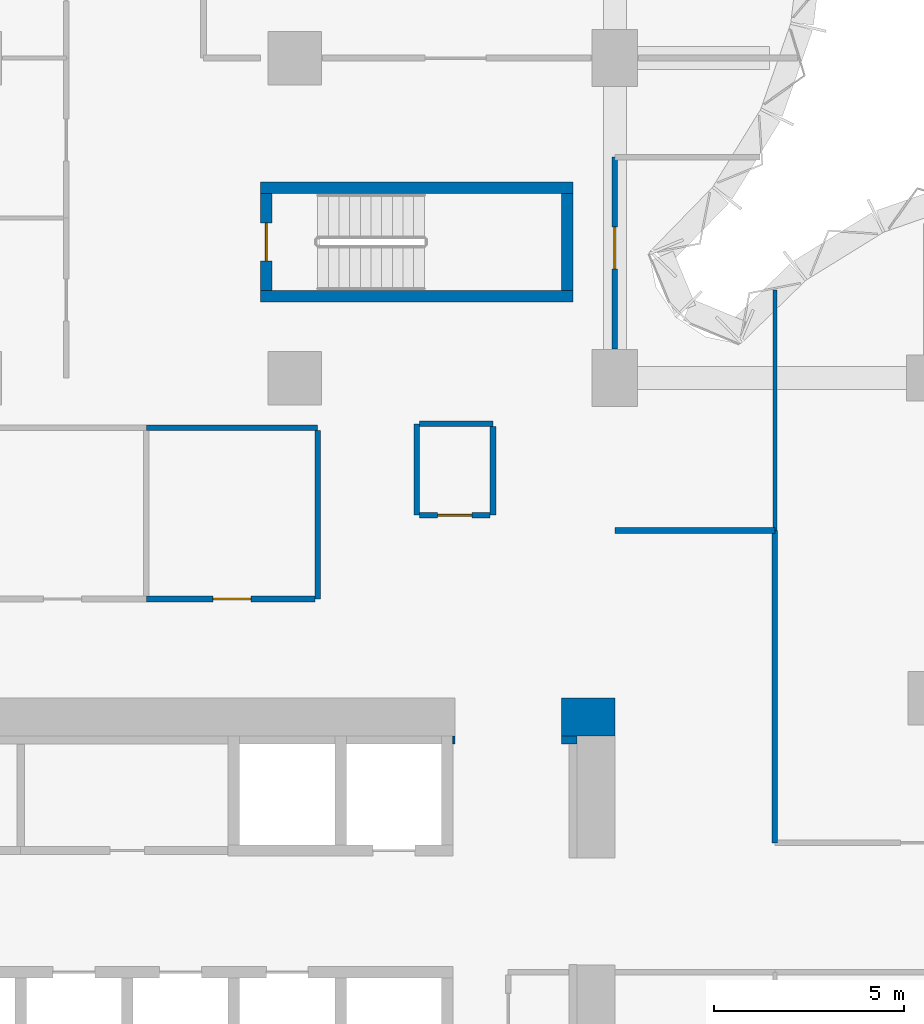
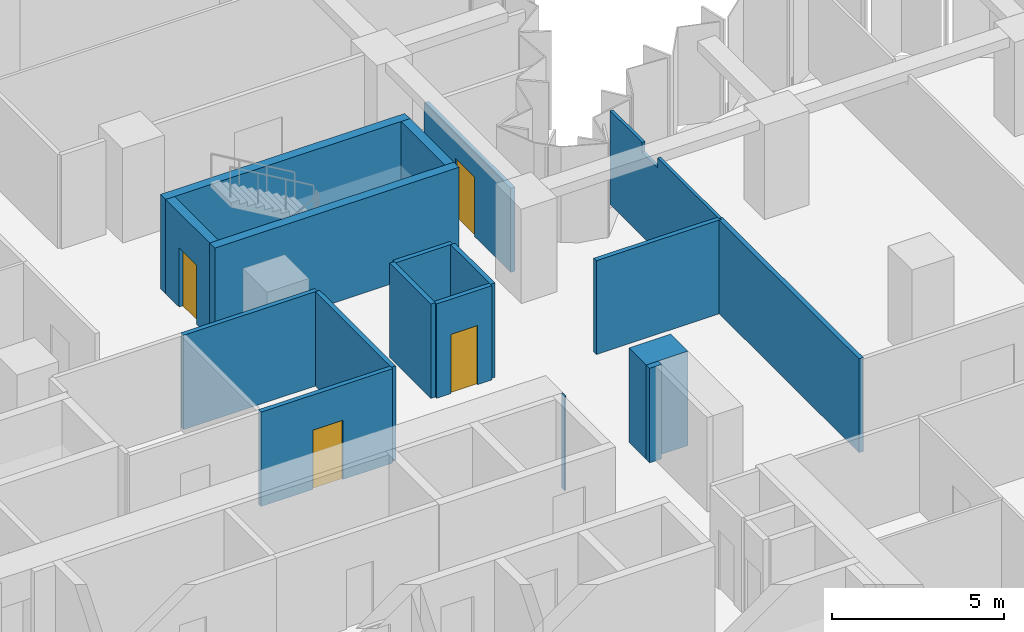
# One storey, part 9 of 15: 18 walls, 4 doors, 4 openings.
"""IFC4 building model written with IfcOpenShell, lengths in metres."""

from ifc_helpers import new_model, si_unit, direction, frame, frame_2d, origin, place, context, subcontext, project, spatial, polyline, rectangle, outline, extrude, material, layer, layer_set, type_object, element, fill, save


model = new_model("IFC4")

# Units and contexts
model_context = context("Model", 3, precision=1e-05, world=origin(), true_north=direction((0.0, 1.0)))
body_context = subcontext(model_context, "Body", "Model", "MODEL_VIEW")
ifc_project = project(units=[si_unit("LENGTHUNIT", "METRE"), si_unit("AREAUNIT", "SQUARE_METRE"), si_unit("VOLUMEUNIT", "CUBIC_METRE"), si_unit("PLANEANGLEUNIT", "RADIAN"), si_unit("MASSUNIT", "GRAM", prefix="KILO")], contexts=[model_context])

# Site, building, storey
site_placement = place(None, origin())
site = spatial("IfcSite", under=ifc_project, at=site_placement, CompositionType="ELEMENT")
building_placement = place(site_placement, origin())
building = spatial("IfcBuilding", under=site, at=building_placement, Name="Brevane Broadcast Tower", CompositionType="ELEMENT")
storey_placement = place(building_placement, frame((0.0, 0.0, 47.300048828125)))
storey = spatial("IfcBuildingStorey", under=building, at=storey_placement, Name="L09", CompositionType="ELEMENT", Elevation=47.300048828125)

# Walls
ifc_material_1 = material(Name="Concrete C32/40", Category="concrete")
ifc_layer_1 = layer(ifc_material_1, 0.199951171875)
ifc_layer_set_1 = layer_set([ifc_layer_1], Name="Core chase wall 200 mm")
wall_type_1 = type_object("IfcWallType", Name="Core chase wall 200 mm", PredefinedType="PARTITIONING", material=ifc_layer_set_1)
wall_1_placement = place(storey_placement, frame((23.800048828125, 15.699951171875, 0.0), z_axis=(0.0, 0.0, 1.0), x_axis=(1.0, 0.0, 0.0)))
element("IfcWall", 1, at=wall_1_placement, inside=storey, type_object=wall_type_1, Name="L09 chase wall LN2", PredefinedType="PARTITIONING", context=body_context, shape_type="SweptSolid", body=[
    extrude(rectangle(XDim=0.39990234375, YDim=0.199951171875, at=frame_2d((0.199951171875, 0.0))), origin(), (0.0, 0.0, 1.0), 3.349853515625),
])
wall_2_placement = place(storey_placement, frame((20.949951171875, 15.699951171875, 0.0), z_axis=(0.0, 0.0, 1.0), x_axis=(1.0, 0.0, 0.0)))
element("IfcWall", 2, at=wall_2_placement, inside=storey, type_object=wall_type_1, Name="L09 chase wall LN1-2-2-2-2", PredefinedType="PARTITIONING", context=body_context, shape_type="SweptSolid", body=[
    extrude(rectangle(XDim=0.050048828125, YDim=0.199951171875, at=frame_2d((0.02490234375, 0.0))), origin(), (0.0, 0.0, 1.0), 3.349853515625),
])
ifc_material_2 = material(Name="Gypsum board on steel studs", Category="steel")
ifc_layer_2 = layer(ifc_material_2, 0.14990234375)
ifc_layer_set_2 = layer_set([ifc_layer_2], Name="Core fire partition 150 mm")
wall_type_2 = type_object("IfcWallType", Name="Core fire partition 150 mm", PredefinedType="PARTITIONING", material=ifc_layer_set_2)
wall_3_placement = place(storey_placement, frame((12.89990234375, 23.89990234375, 0.0), z_axis=(0.0, 0.0, 1.0), x_axis=(1.0, 0.0, 0.0)))
element("IfcWall", 3, at=wall_3_placement, inside=storey, type_object=wall_type_2, Name="L09 partition wall P19", PredefinedType="PARTITIONING", context=body_context, shape_type="SweptSolid", body=[
    extrude(rectangle(XDim=4.5, YDim=0.14990234375, at=frame_2d((2.25, 0.0))), origin(), (0.0, 0.0, 1.0), 3.349853515625),
])
wall_4_placement = place(storey_placement, frame((17.39990234375, 23.824951171875, 0.0), z_axis=(0.0, 0.0, 1.0), x_axis=(0.0, -1.0, 0.0)))
element("IfcWall", 4, at=wall_4_placement, inside=storey, type_object=wall_type_2, Name="L09 partition wall P20", PredefinedType="PARTITIONING", context=body_context, shape_type="SweptSolid", body=[
    extrude(rectangle(XDim=4.425048828125, YDim=0.14990234375, at=frame_2d((2.21240234375, 0.0))), origin(), (0.0, 0.0, 1.0), 3.349853515625),
])

# Wall, opening, door
wall_5_placement = place(storey_placement, frame((17.324951171875, 19.39990234375, 0.0), z_axis=(0.0, 0.0, 1.0), x_axis=(-1.0, 0.0, 0.0)))
wall_5 = element("IfcWall", 5, at=wall_5_placement, inside=storey, type_object=wall_type_2, Name="L09 partition wall P21", PredefinedType="PARTITIONING", context=body_context, shape_type="SweptSolid", body=[
    extrude(rectangle(XDim=4.425048828125, YDim=0.14990234375, at=frame_2d((2.21240234375, 0.0))), origin(), (0.0, 0.0, 1.0), 3.349853515625),
])
opening_1_placement = place(wall_5_placement, frame((1.675048828125, 0.0, 0.0)))
opening_1 = element("IfcOpeningElement", 6, at=opening_1_placement, cuts=wall_5, Name="Opening L09-K26", PredefinedType="OPENING", context=body_context, shape_type="SweptSolid", body=[
    extrude(rectangle(XDim=1.0, YDim=2.10009765625, at=frame_2d((0.5, 1.050048828125))), frame((0.0, 0.0849609375, 0.0), z_axis=(0.0, -1.0, 0.0), x_axis=(1.0, 0.0, 0.0)), (0.0, 0.0, 1.0), 0.169921875),
])
ifc_material_3 = material(Name="Steel", Category="steel")
door_type_1 = type_object("IfcDoorType", Name="Service room door 1000 x 2100", OperationType="SINGLE_SWING_LEFT", PredefinedType="DOOR", material=ifc_material_3)
door_1_placement = place(opening_1_placement, origin())
door_1 = element("IfcDoor", 7, at=door_1_placement, inside=storey, type_object=door_type_1, Name="Door L09-K26", OperationType="SINGLE_SWING_LEFT", OverallHeight=2.10009765625, OverallWidth=1.0, PredefinedType="DOOR", context=body_context, shape_type="SweptSolid", body=[
    extrude(rectangle(XDim=1.0, YDim=2.10009765625, at=frame_2d((0.5, 1.050048828125))), frame((0.0, 0.02490234375, 0.0), z_axis=(0.0, -1.0, 0.0), x_axis=(1.0, 0.0, 0.0)), (0.0, 0.0, 1.0), 0.050048828125),
])
fill(opening_1, door_1)

# Walls
wall_6_placement = place(storey_placement, frame((20.0, 21.60009765625, 0.0), z_axis=(0.0, 0.0, 1.0), x_axis=(0.0, 1.0, 0.0)))
element("IfcWall", 8, at=wall_6_placement, inside=storey, type_object=wall_type_2, Name="L09 partition wall P25", PredefinedType="PARTITIONING", context=body_context, shape_type="SweptSolid", body=[
    extrude(rectangle(XDim=2.39990234375, YDim=0.14990234375, at=frame_2d((1.199951171875, 0.0))), origin(), (0.0, 0.0, 1.0), 3.349853515625),
])
wall_7_placement = place(storey_placement, frame((20.074951171875, 24.0, 0.0), z_axis=(0.0, 0.0, 1.0), x_axis=(1.0, 0.0, 0.0)))
element("IfcWall", 9, at=wall_7_placement, inside=storey, type_object=wall_type_2, Name="L09 partition wall P26", PredefinedType="PARTITIONING", context=body_context, shape_type="SweptSolid", body=[
    extrude(rectangle(XDim=1.925048828125, YDim=0.14990234375, at=frame_2d((0.96240234375, 0.0))), origin(), (0.0, 0.0, 1.0), 3.349853515625),
])
wall_8_placement = place(storey_placement, frame((22.0, 23.925048828125, 0.0), z_axis=(0.0, 0.0, 1.0), x_axis=(0.0, -1.0, 0.0)))
element("IfcWall", 10, at=wall_8_placement, inside=storey, type_object=wall_type_2, Name="L09 partition wall P27", PredefinedType="PARTITIONING", context=body_context, shape_type="SweptSolid", body=[
    extrude(rectangle(XDim=2.324951171875, YDim=0.14990234375, at=frame_2d((1.16259765625, 0.0))), origin(), (0.0, 0.0, 1.0), 3.349853515625),
])

# Wall, opening, door
wall_9_placement = place(storey_placement, frame((21.925048828125, 21.60009765625, 0.0), z_axis=(0.0, 0.0, 1.0), x_axis=(-1.0, 0.0, 0.0)))
wall_9 = element("IfcWall", 11, at=wall_9_placement, inside=storey, type_object=wall_type_2, Name="L09 partition wall P28", PredefinedType="PARTITIONING", context=body_context, shape_type="SweptSolid", body=[
    extrude(rectangle(XDim=1.85009765625, YDim=0.14990234375, at=frame_2d((0.925048828125, 0.0))), origin(), (0.0, 0.0, 1.0), 3.349853515625),
])
opening_2_placement = place(wall_9_placement, frame((0.47509765625, 0.0, 0.0)))
opening_2 = element("IfcOpeningElement", 12, at=opening_2_placement, cuts=wall_9, Name="Opening L09-K24", PredefinedType="OPENING", context=body_context, shape_type="SweptSolid", body=[
    extrude(rectangle(XDim=0.89990234375, YDim=2.10009765625, at=frame_2d((0.449951171875, 1.050048828125))), frame((0.0, 0.0849609375, 0.0), z_axis=(0.0, -1.0, 0.0), x_axis=(1.0, 0.0, 0.0)), (0.0, 0.0, 1.0), 0.169921875),
])
ifc_material_4 = material(Name="Timber", Category="wood")
door_type_2 = type_object("IfcDoorType", Name="Toilet door 900 x 2100", OperationType="SINGLE_SWING_LEFT", PredefinedType="DOOR", material=ifc_material_4)
door_2_placement = place(opening_2_placement, origin())
door_2 = element("IfcDoor", 13, at=door_2_placement, inside=storey, type_object=door_type_2, Name="Door L09-K24", OperationType="SINGLE_SWING_LEFT", OverallHeight=2.10009765625, OverallWidth=0.89990234375, PredefinedType="DOOR", context=body_context, shape_type="SweptSolid", body=[
    extrude(rectangle(XDim=0.89990234375, YDim=2.10009765625, at=frame_2d((0.449951171875, 1.050048828125))), frame((0.0, 0.02490234375, 0.0), z_axis=(0.0, -1.0, 0.0), x_axis=(1.0, 0.0, 0.0)), (0.0, 0.0, 1.0), 0.050048828125),
])
fill(opening_2, door_2)

# Walls
ifc_material_5 = material(Name="Concrete C80/95", Category="concrete")
ifc_layer_3 = layer(ifc_material_5, 1.0)
ifc_layer_set_3 = layer_set([ifc_layer_3], Name="Core wall 1000 mm C80/95")
wall_type_3 = type_object("IfcWallType", Name="Core wall 1000 mm C80/95", PredefinedType="SHEAR", material=ifc_layer_set_3)
wall_10_placement = place(storey_placement, frame((23.800048828125, 16.300048828125, 0.0), z_axis=(0.0, 0.0, 1.0), x_axis=(1.0, 0.0, 0.0)))
element("IfcWall", 14, at=wall_10_placement, inside=storey, type_object=wall_type_3, Name="L09 outer wall WN2", PredefinedType="SHEAR", context=body_context, shape_type="SweptSolid", body=[
    extrude(rectangle(XDim=1.39990234375, YDim=1.0, at=frame_2d((0.699951171875, 0.0))), origin(), (0.0, 0.0, 1.0), 3.349853515625),
])
ifc_layer_4 = layer(ifc_material_5, 0.300048828125)
ifc_layer_set_4 = layer_set([ifc_layer_4], Name="Core wall 300 mm C80/95")
wall_type_4 = type_object("IfcWallType", Name="Core wall 300 mm C80/95", PredefinedType="SHEAR", material=ifc_layer_set_4)
for number, where, z_axis, x_axis, name in (
    (15, (15.89990234375, 27.35009765625, 0.0), (0.0, 0.0, 1.0), (1.0, 0.0, 0.0), "L09 stair wall ST-3-S"),
    (16, (15.89990234375, 30.199951171875, 0.0), (0.0, 0.0, 1.0), (1.0, 0.0, 0.0), "L09 stair wall ST-3-N"),
):
    element("IfcWall", number, at=place(storey_placement, frame(where, z_axis=z_axis, x_axis=x_axis)), inside=storey, type_object=wall_type_4, Name=name, PredefinedType="SHEAR", context=body_context, shape_type="SweptSolid", body=[
        extrude(rectangle(XDim=8.2001953125, YDim=0.300048828125, at=frame_2d((4.10009765625, 0.0))), origin(), (0.0, 0.0, 1.0), 3.349853515625),
    ])

# Wall, opening, door
wall_11_placement = place(storey_placement, frame((16.050048828125, 27.5, 0.0), z_axis=(0.0, 0.0, 1.0), x_axis=(0.0, 1.0, 0.0)))
wall_11 = element("IfcWall", 17, at=wall_11_placement, inside=storey, type_object=wall_type_4, Name="L09 stair wall ST-3-W", PredefinedType="SHEAR", context=body_context, shape_type="SweptSolid", body=[
    extrude(rectangle(XDim=2.550048828125, YDim=0.300048828125, at=frame_2d((1.27490234375, 0.0))), origin(), (0.0, 0.0, 1.0), 3.349853515625),
])
opening_3_placement = place(wall_11_placement, frame((0.77490234375, 0.0, 0.0)))
opening_3 = element("IfcOpeningElement", 18, at=opening_3_placement, cuts=wall_11, Name="Opening L09-K14", PredefinedType="OPENING", context=body_context, shape_type="SweptSolid", body=[
    extrude(rectangle(XDim=1.0, YDim=2.10009765625, at=frame_2d((0.5, 1.050048828125))), frame((0.0, 0.159912109375, 0.0), z_axis=(0.0, -1.0, 0.0), x_axis=(1.0, 0.0, 0.0)), (0.0, 0.0, 1.0), 0.320068359375),
])
door_type_3 = type_object("IfcDoorType", Name="Stair door 1000 x 2100", OperationType="SINGLE_SWING_LEFT", PredefinedType="DOOR", material=ifc_material_3)
door_3_placement = place(opening_3_placement, origin())
door_3 = element("IfcDoor", 19, at=door_3_placement, inside=storey, type_object=door_type_3, Name="Door L09-K14", OperationType="SINGLE_SWING_LEFT", OverallHeight=2.10009765625, OverallWidth=1.0, PredefinedType="DOOR", context=body_context, shape_type="SweptSolid", body=[
    extrude(rectangle(XDim=1.0, YDim=2.10009765625, at=frame_2d((0.5, 1.050048828125))), frame((0.0, 0.02490234375, 0.0), z_axis=(0.0, -1.0, 0.0), x_axis=(1.0, 0.0, 0.0)), (0.0, 0.0, 1.0), 0.050048828125),
])
fill(opening_3, door_3)

# Walls
wall_12_placement = place(storey_placement, frame((23.949951171875, 27.5, 0.0), z_axis=(0.0, 0.0, 1.0), x_axis=(0.0, 1.0, 0.0)))
element("IfcWall", 20, at=wall_12_placement, inside=storey, type_object=wall_type_4, Name="L09 stair wall ST-3-E", PredefinedType="SHEAR", context=body_context, shape_type="SweptSolid", body=[
    extrude(rectangle(XDim=2.550048828125, YDim=0.300048828125, at=frame_2d((1.27490234375, 0.0))), origin(), (0.0, 0.0, 1.0), 3.349853515625),
])
ifc_material_6 = material(Name="Gypsum board partition")
ifc_layer_5 = layer(ifc_material_6, 0.10009765625)
ifc_layer_set_5 = layer_set([ifc_layer_5], Name="PARTITION 100 STUD")
wall_type_5 = type_object("IfcWallType", Name="PARTITION 100 STUD", PredefinedType="PARTITIONING", material=ifc_layer_set_5)
wall_13_placement = place(storey_placement, frame((29.39990234375, 27.510986328125, 0.0), z_axis=(0.0, 0.0, 1.0), x_axis=(0.0, -1.0, 0.0)))
element("IfcWall", 21, at=wall_13_placement, inside=storey, type_object=wall_type_5, Name="Partition G02-004", PredefinedType="PARTITIONING", context=body_context, shape_type="SweptSolid", body=[
    extrude(outline(polyline([(0.0, 0.0), (6.31103515625, 0.0), (6.31103515625, 3.329833984375), (2.760986328125, 3.329833984375), (2.759033203125, 2.97998046875), (1.863037109375, 2.97998046875), (1.861083984375, 3.329833984375), (0.236083984375, 3.329833984375), (0.0, 3.329833984375), (0.0, 0.0)])), frame((0.0, 0.050048828125, 0.0), z_axis=(0.0, -1.0, 0.0), x_axis=(1.0, 0.0, 0.0)), (0.0, 0.0, 1.0), 0.10009765625),
])
ifc_layer_6 = layer(ifc_material_6, 0.14990234375)
ifc_layer_set_6 = layer_set([ifc_layer_6], Name="PARTITION 150 EI 60")
wall_type_6 = type_object("IfcWallType", Name="PARTITION 150 EI 60", PredefinedType="PARTITIONING", material=ifc_layer_set_6)
wall_14_placement = place(storey_placement, frame((25.199951171875, 21.199951171875, 0.0), z_axis=(0.0, 0.0, 1.0), x_axis=(1.0, 0.0, 0.0)))
element("IfcWall", 22, at=wall_14_placement, inside=storey, type_object=wall_type_6, Name="Partition G02-001", PredefinedType="PARTITIONING", context=body_context, shape_type="SweptSolid", body=[
    extrude(rectangle(XDim=4.199951171875, YDim=0.14990234375, at=frame_2d((2.10009765625, 0.0))), origin(), (0.0, 0.0, 1.0), 3.329833984375),
])
wall_15_placement = place(storey_placement, frame((29.39990234375, 21.199951171875, 0.0), z_axis=(0.0, 0.0, 1.0), x_axis=(0.0, -1.0, 0.0)))
element("IfcWall", 23, at=wall_15_placement, inside=storey, type_object=wall_type_6, Name="Partition G02-003", PredefinedType="PARTITIONING", context=body_context, shape_type="SweptSolid", body=[
    extrude(rectangle(XDim=8.199951171875, YDim=0.14990234375, at=frame_2d((4.10009765625, 0.0))), origin(), (0.0, 0.0, 1.0), 3.329833984375),
])

# Wall, opening, door
wall_16_placement = place(storey_placement, frame((25.199951171875, 31.0, 0.0), z_axis=(0.0, 0.0, 1.0), x_axis=(0.0, -1.0, 0.0)))
wall_16 = element("IfcWall", 24, at=wall_16_placement, inside=storey, type_object=wall_type_6, Name="Partition G02-005", PredefinedType="PARTITIONING", context=body_context, shape_type="SweptSolid", body=[
    extrude(outline(polyline([(0.0, 0.0), (5.030029296875, 0.0), (5.030029296875, 2.97998046875), (0.0, 2.97998046875), (0.0, 0.0)])), frame((0.0, 0.074951171875, 0.0), z_axis=(0.0, -1.0, 0.0), x_axis=(1.0, 0.0, 0.0)), (0.0, 0.0, 1.0), 0.14990234375),
])
opening_4_placement = place(wall_16_placement, frame((1.830078125, 0.0, 0.0)))
opening_4 = element("IfcOpeningElement", 25, at=opening_4_placement, cuts=wall_16, Name="Opening D08-001", PredefinedType="OPENING", context=body_context, shape_type="SweptSolid", body=[
    extrude(rectangle(XDim=1.10009765625, YDim=2.10009765625, at=frame_2d((0.550048828125, 1.050048828125))), frame((0.0, 0.0849609375, 0.0), z_axis=(0.0, -1.0, 0.0), x_axis=(1.0, 0.0, 0.0)), (0.0, 0.0, 1.0), 0.169921875),
])
ifc_material_7 = material(Name="Fire-rated timber door leaf", Category="wood")
door_type_4 = type_object("IfcDoorType", Name="DOOR SINGLE 1100 FD30S", OperationType="SINGLE_SWING_LEFT", PredefinedType="DOOR", material=ifc_material_7)
door_4_placement = place(opening_4_placement, origin())
door_4 = element("IfcDoor", 26, at=door_4_placement, inside=storey, type_object=door_type_4, Name="Door D08-001", OperationType="SINGLE_SWING_RIGHT", OverallHeight=2.10009765625, OverallWidth=1.10009765625, PredefinedType="DOOR", context=body_context, shape_type="SweptSolid", body=[
    extrude(rectangle(XDim=1.10009765625, YDim=2.10009765625, at=frame_2d((0.550048828125, 1.050048828125))), frame((0.0, 0.02490234375, 0.0), z_axis=(0.0, -1.0, 0.0), x_axis=(1.0, 0.0, 0.0)), (0.0, 0.0, 1.0), 0.050048828125),
])
fill(opening_4, door_4)

save(model, "model.ifc")
